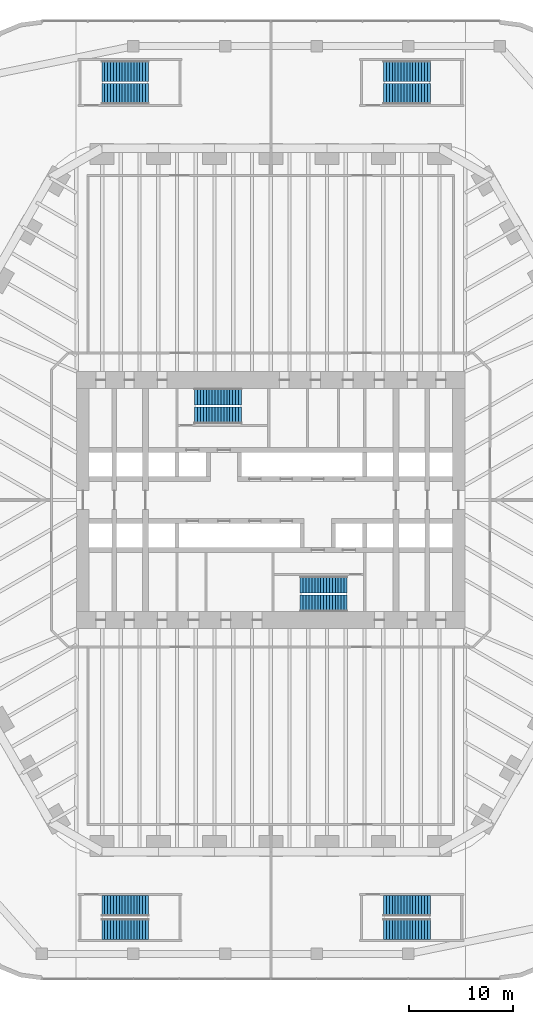
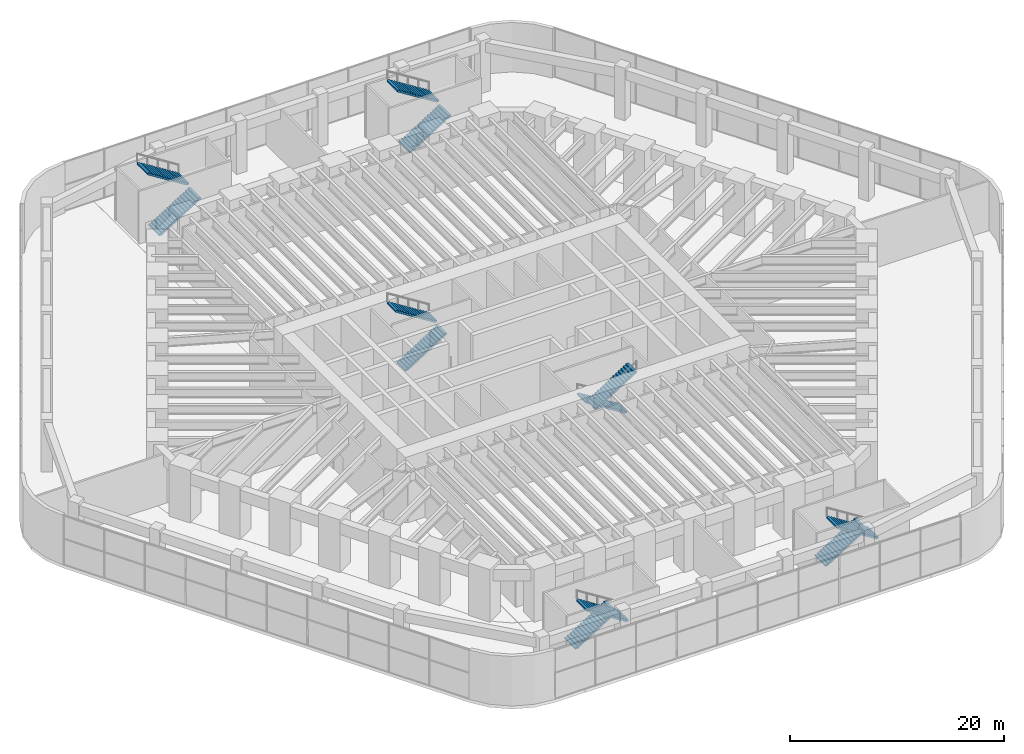
# One storey, part 30 of 31: 12 stair flights, 6 elements without a shape of their own.
"""IFC4 building model written with IfcOpenShell, lengths in metres."""

from ifc_helpers import new_model, si_unit, direction, frame, origin, place, context, subcontext, project, spatial, polyline, outline, extrude, material, type_object, element, aggregate, save


model = new_model("IFC4")

# Units and contexts
model_context = context("Model", 3, precision=1e-05, world=origin(), true_north=direction((0.0, 1.0)))
body_context = subcontext(model_context, "Body", "Model", "MODEL_VIEW")
ifc_project = project(units=[si_unit("LENGTHUNIT", "METRE"), si_unit("AREAUNIT", "SQUARE_METRE"), si_unit("VOLUMEUNIT", "CUBIC_METRE"), si_unit("PLANEANGLEUNIT", "RADIAN"), si_unit("MASSUNIT", "GRAM", prefix="KILO")], contexts=[model_context])

# Site, building, storey
site_placement = place(None, origin())
site = spatial("IfcSite", under=ifc_project, at=site_placement, CompositionType="ELEMENT")
building_placement = place(site_placement, origin())
building = spatial("IfcBuilding", under=site, at=building_placement, Name="Tarfa Lantern Tower", CompositionType="ELEMENT")
storey_placement = place(building_placement, frame((0.0, 0.0, 7.0)))
storey = spatial("IfcBuildingStorey", under=building, at=storey_placement, Name="L01", CompositionType="ELEMENT", Elevation=7.0)

# Stair, stair flights
ifc_material = material(Name="Concrete C40/50", Category="concrete")
stair_type_1 = type_object("IfcStairType", Name="ST-T5 HALF-TURN STAIR 6000 RISE", PredefinedType="HALF_TURN_STAIR", material=ifc_material)
stair_1_placement = place(storey_placement, origin())
stair_1 = element("IfcStair", 1, at=stair_1_placement, inside=storey, type_object=stair_type_1, Name="Stair ST1", PredefinedType="HALF_TURN_STAIR")
stair_flight_type = type_object("IfcStairFlightType", Name="SF1 STAIR FLIGHT", PredefinedType="STRAIGHT", material=ifc_material)
stair_flight_1_placement = place(storey_placement, frame((-7.300048828125, 8.10009765625, 0.0), z_axis=(0.0, 0.0, 1.0), x_axis=(1.0, 0.0, 0.0)))
stair_flight_1 = element("IfcStairFlight", 2, at=stair_flight_1_placement, type_object=stair_flight_type, Name="ST1 flight 1", NumberOfRisers=17, NumberOfTreads=16, PredefinedType="STRAIGHT", RiserHeight=0.176470588, TreadLength=0.28, context=body_context, shape_type="SweptSolid", body=[
    extrude(outline(polyline([(0.0, 0.0), (0.0, 0.176513671875), (0.280029296875, 0.176513671875), (0.280029296875, 0.35302734375), (0.56005859375, 0.35302734375), (0.56005859375, 0.529296875), (0.840087890625, 0.529296875), (0.840087890625, 0.705810546875), (1.1201171875, 0.705810546875), (1.1201171875, 0.88232421875), (1.39990234375, 0.88232421875), (1.39990234375, 1.058837890625), (1.679931640625, 1.058837890625), (1.679931640625, 1.2353515625), (1.9599609375, 1.2353515625), (1.9599609375, 1.411865234375), (2.239990234375, 1.411865234375), (2.239990234375, 1.588134765625), (2.52001953125, 1.588134765625), (2.52001953125, 1.7646484375), (2.800048828125, 1.7646484375), (2.800048828125, 1.941162109375), (3.080078125, 1.941162109375), (3.080078125, 2.11767578125), (3.360107421875, 2.11767578125), (3.360107421875, 2.294189453125), (3.639892578125, 2.294189453125), (3.639892578125, 2.470703125), (3.919921875, 2.470703125), (3.919921875, 2.64697265625), (4.199951171875, 2.64697265625), (4.199951171875, 2.823486328125), (4.47998046875, 2.823486328125), (4.47998046875, 3.0), (4.47998046875, 2.646240234375), (0.28125, 0.0), (0.0, 0.0)])), frame((0.0, 0.800048828125, 0.0), z_axis=(0.0, -1.0, 0.0), x_axis=(1.0, 0.0, 0.0)), (0.0, 0.0, 1.0), 1.60009765625),
])
stair_flight_2_placement = place(storey_placement, frame((-2.820068359375, 9.89990234375, 3.0), z_axis=(0.0, 0.0, 1.0), x_axis=(-1.0, 0.0, 0.0)))
stair_flight_2 = element("IfcStairFlight", 3, at=stair_flight_2_placement, type_object=stair_flight_type, Name="ST1 flight 2", NumberOfRisers=17, NumberOfTreads=16, PredefinedType="STRAIGHT", RiserHeight=0.176470588, TreadLength=0.28, context=body_context, shape_type="SweptSolid", body=[
    extrude(outline(polyline([(0.0, 0.0), (0.0, 0.176513671875), (0.280029296875, 0.176513671875), (0.280029296875, 0.35302734375), (0.56005859375, 0.35302734375), (0.56005859375, 0.529296875), (0.840087890625, 0.529296875), (0.840087890625, 0.705810546875), (1.1201171875, 0.705810546875), (1.1201171875, 0.88232421875), (1.39990234375, 0.88232421875), (1.39990234375, 1.058837890625), (1.679931640625, 1.058837890625), (1.679931640625, 1.2353515625), (1.9599609375, 1.2353515625), (1.9599609375, 1.411865234375), (2.239990234375, 1.411865234375), (2.239990234375, 1.588134765625), (2.52001953125, 1.588134765625), (2.52001953125, 1.7646484375), (2.800048828125, 1.7646484375), (2.800048828125, 1.941162109375), (3.080078125, 1.941162109375), (3.080078125, 2.11767578125), (3.360107421875, 2.11767578125), (3.360107421875, 2.294189453125), (3.639892578125, 2.294189453125), (3.639892578125, 2.470703125), (3.919921875, 2.470703125), (3.919921875, 2.64697265625), (4.199951171875, 2.64697265625), (4.199951171875, 2.823486328125), (4.47998046875, 2.823486328125), (4.47998046875, 3.0), (4.47998046875, 2.646240234375), (0.28125, 0.0), (0.0, 0.0)])), frame((0.0, 0.800048828125, 0.0), z_axis=(0.0, -1.0, 0.0), x_axis=(1.0, 0.0, 0.0)), (0.0, 0.0, 1.0), 1.60009765625),
])
aggregate(stair_1, [stair_flight_1, stair_flight_2])

stair_2_placement = place(storey_placement, origin())
stair_2 = element("IfcStair", 4, at=stair_2_placement, inside=storey, type_object=stair_type_1, Name="Stair ST2", PredefinedType="HALF_TURN_STAIR")
stair_flight_3_placement = place(storey_placement, frame((7.300048828125, -8.10009765625, 0.0), z_axis=(0.0, 0.0, 1.0), x_axis=(-1.0, 0.0, 0.0)))
stair_flight_3 = element("IfcStairFlight", 5, at=stair_flight_3_placement, type_object=stair_flight_type, Name="ST2 flight 1", NumberOfRisers=17, NumberOfTreads=16, PredefinedType="STRAIGHT", RiserHeight=0.176470588, TreadLength=0.28, context=body_context, shape_type="SweptSolid", body=[
    extrude(outline(polyline([(0.0, 0.0), (0.0, 0.176513671875), (0.280029296875, 0.176513671875), (0.280029296875, 0.35302734375), (0.56005859375, 0.35302734375), (0.56005859375, 0.529296875), (0.840087890625, 0.529296875), (0.840087890625, 0.705810546875), (1.1201171875, 0.705810546875), (1.1201171875, 0.88232421875), (1.39990234375, 0.88232421875), (1.39990234375, 1.058837890625), (1.679931640625, 1.058837890625), (1.679931640625, 1.2353515625), (1.9599609375, 1.2353515625), (1.9599609375, 1.411865234375), (2.239990234375, 1.411865234375), (2.239990234375, 1.588134765625), (2.52001953125, 1.588134765625), (2.52001953125, 1.7646484375), (2.800048828125, 1.7646484375), (2.800048828125, 1.941162109375), (3.080078125, 1.941162109375), (3.080078125, 2.11767578125), (3.360107421875, 2.11767578125), (3.360107421875, 2.294189453125), (3.639892578125, 2.294189453125), (3.639892578125, 2.470703125), (3.919921875, 2.470703125), (3.919921875, 2.64697265625), (4.199951171875, 2.64697265625), (4.199951171875, 2.823486328125), (4.47998046875, 2.823486328125), (4.47998046875, 3.0), (4.47998046875, 2.646240234375), (0.28125, 0.0), (0.0, 0.0)])), frame((0.0, 0.800048828125, 0.0), z_axis=(0.0, -1.0, 0.0), x_axis=(1.0, 0.0, 0.0)), (0.0, 0.0, 1.0), 1.60009765625),
])
stair_flight_4_placement = place(storey_placement, frame((2.820068359375, -9.89990234375, 3.0), z_axis=(0.0, 0.0, 1.0), x_axis=(1.0, 0.0, 0.0)))
stair_flight_4 = element("IfcStairFlight", 6, at=stair_flight_4_placement, type_object=stair_flight_type, Name="ST2 flight 2", NumberOfRisers=17, NumberOfTreads=16, PredefinedType="STRAIGHT", RiserHeight=0.176470588, TreadLength=0.28, context=body_context, shape_type="SweptSolid", body=[
    extrude(outline(polyline([(0.0, 0.0), (0.0, 0.176513671875), (0.280029296875, 0.176513671875), (0.280029296875, 0.35302734375), (0.56005859375, 0.35302734375), (0.56005859375, 0.529296875), (0.840087890625, 0.529296875), (0.840087890625, 0.705810546875), (1.1201171875, 0.705810546875), (1.1201171875, 0.88232421875), (1.39990234375, 0.88232421875), (1.39990234375, 1.058837890625), (1.679931640625, 1.058837890625), (1.679931640625, 1.2353515625), (1.9599609375, 1.2353515625), (1.9599609375, 1.411865234375), (2.239990234375, 1.411865234375), (2.239990234375, 1.588134765625), (2.52001953125, 1.588134765625), (2.52001953125, 1.7646484375), (2.800048828125, 1.7646484375), (2.800048828125, 1.941162109375), (3.080078125, 1.941162109375), (3.080078125, 2.11767578125), (3.360107421875, 2.11767578125), (3.360107421875, 2.294189453125), (3.639892578125, 2.294189453125), (3.639892578125, 2.470703125), (3.919921875, 2.470703125), (3.919921875, 2.64697265625), (4.199951171875, 2.64697265625), (4.199951171875, 2.823486328125), (4.47998046875, 2.823486328125), (4.47998046875, 3.0), (4.47998046875, 2.646240234375), (0.28125, 0.0), (0.0, 0.0)])), frame((0.0, 0.800048828125, 0.0), z_axis=(0.0, -1.0, 0.0), x_axis=(1.0, 0.0, 0.0)), (0.0, 0.0, 1.0), 1.60009765625),
])
aggregate(stair_2, [stair_flight_3, stair_flight_4])

stair_type_2 = type_object("IfcStairType", Name="ST-T6 HALF-TURN STAIR 6000 RISE", PredefinedType="HALF_TURN_STAIR", material=ifc_material)
stair_3_placement = place(storey_placement, origin())
stair_3 = element("IfcStair", 7, at=stair_3_placement, inside=storey, type_object=stair_type_2, Name="Stair ST3", PredefinedType="HALF_TURN_STAIR")
stair_flight_5_placement = place(storey_placement, frame((10.800048828125, 38.89990234375, 0.0), z_axis=(0.0, 0.0, 1.0), x_axis=(1.0, 0.0, 0.0)))
stair_flight_5 = element("IfcStairFlight", 8, at=stair_flight_5_placement, type_object=stair_flight_type, Name="ST3 flight 1", NumberOfRisers=17, NumberOfTreads=16, PredefinedType="STRAIGHT", RiserHeight=0.176470588, TreadLength=0.28, context=body_context, shape_type="SweptSolid", body=[
    extrude(outline(polyline([(0.0, 0.0), (0.0, 0.176513671875), (0.280029296875, 0.176513671875), (0.280029296875, 0.35302734375), (0.56005859375, 0.35302734375), (0.56005859375, 0.529296875), (0.840087890625, 0.529296875), (0.840087890625, 0.705810546875), (1.1201171875, 0.705810546875), (1.1201171875, 0.88232421875), (1.39990234375, 0.88232421875), (1.39990234375, 1.058837890625), (1.679931640625, 1.058837890625), (1.679931640625, 1.2353515625), (1.9599609375, 1.2353515625), (1.9599609375, 1.411865234375), (2.239990234375, 1.411865234375), (2.239990234375, 1.588134765625), (2.52001953125, 1.588134765625), (2.52001953125, 1.7646484375), (2.800048828125, 1.7646484375), (2.800048828125, 1.941162109375), (3.080078125, 1.941162109375), (3.080078125, 2.11767578125), (3.360107421875, 2.11767578125), (3.360107421875, 2.294189453125), (3.639892578125, 2.294189453125), (3.639892578125, 2.470703125), (3.919921875, 2.470703125), (3.919921875, 2.64697265625), (4.199951171875, 2.64697265625), (4.199951171875, 2.823486328125), (4.47998046875, 2.823486328125), (4.47998046875, 3.0), (4.47998046875, 2.646240234375), (0.28125, 0.0), (0.0, 0.0)])), frame((0.0, 1.0, 0.0), z_axis=(0.0, -1.0, 0.0), x_axis=(1.0, 0.0, 0.0)), (0.0, 0.0, 1.0), 2.0),
])
stair_flight_6_placement = place(storey_placement, frame((15.280029296875, 41.10009765625, 3.0), z_axis=(0.0, 0.0, 1.0), x_axis=(-1.0, 0.0, 0.0)))
stair_flight_6 = element("IfcStairFlight", 9, at=stair_flight_6_placement, type_object=stair_flight_type, Name="ST3 flight 2", NumberOfRisers=17, NumberOfTreads=16, PredefinedType="STRAIGHT", RiserHeight=0.176470588, TreadLength=0.28, context=body_context, shape_type="SweptSolid", body=[
    extrude(outline(polyline([(0.0, 0.0), (0.0, 0.176513671875), (0.280029296875, 0.176513671875), (0.280029296875, 0.35302734375), (0.56005859375, 0.35302734375), (0.56005859375, 0.529296875), (0.840087890625, 0.529296875), (0.840087890625, 0.705810546875), (1.1201171875, 0.705810546875), (1.1201171875, 0.88232421875), (1.39990234375, 0.88232421875), (1.39990234375, 1.058837890625), (1.679931640625, 1.058837890625), (1.679931640625, 1.2353515625), (1.9599609375, 1.2353515625), (1.9599609375, 1.411865234375), (2.239990234375, 1.411865234375), (2.239990234375, 1.588134765625), (2.52001953125, 1.588134765625), (2.52001953125, 1.7646484375), (2.800048828125, 1.7646484375), (2.800048828125, 1.941162109375), (3.080078125, 1.941162109375), (3.080078125, 2.11767578125), (3.360107421875, 2.11767578125), (3.360107421875, 2.294189453125), (3.639892578125, 2.294189453125), (3.639892578125, 2.470703125), (3.919921875, 2.470703125), (3.919921875, 2.64697265625), (4.199951171875, 2.64697265625), (4.199951171875, 2.823486328125), (4.47998046875, 2.823486328125), (4.47998046875, 3.0), (4.47998046875, 2.646240234375), (0.28125, 0.0), (0.0, 0.0)])), frame((0.0, 1.0, 0.0), z_axis=(0.0, -1.0, 0.0), x_axis=(1.0, 0.0, 0.0)), (0.0, 0.0, 1.0), 2.0),
])
aggregate(stair_3, [stair_flight_5, stair_flight_6])

stair_4_placement = place(storey_placement, origin())
stair_4 = element("IfcStair", 10, at=stair_4_placement, inside=storey, type_object=stair_type_2, Name="Stair ST4", PredefinedType="HALF_TURN_STAIR")
stair_flight_7_placement = place(storey_placement, frame((-16.199951171875, 38.89990234375, 0.0), z_axis=(0.0, 0.0, 1.0), x_axis=(1.0, 0.0, 0.0)))
stair_flight_7 = element("IfcStairFlight", 11, at=stair_flight_7_placement, type_object=stair_flight_type, Name="ST4 flight 1", NumberOfRisers=17, NumberOfTreads=16, PredefinedType="STRAIGHT", RiserHeight=0.176470588, TreadLength=0.28, context=body_context, shape_type="SweptSolid", body=[
    extrude(outline(polyline([(0.0, 0.0), (0.0, 0.176513671875), (0.280029296875, 0.176513671875), (0.280029296875, 0.35302734375), (0.56005859375, 0.35302734375), (0.56005859375, 0.529296875), (0.840087890625, 0.529296875), (0.840087890625, 0.705810546875), (1.1201171875, 0.705810546875), (1.1201171875, 0.88232421875), (1.39990234375, 0.88232421875), (1.39990234375, 1.058837890625), (1.679931640625, 1.058837890625), (1.679931640625, 1.2353515625), (1.9599609375, 1.2353515625), (1.9599609375, 1.411865234375), (2.239990234375, 1.411865234375), (2.239990234375, 1.588134765625), (2.52001953125, 1.588134765625), (2.52001953125, 1.7646484375), (2.800048828125, 1.7646484375), (2.800048828125, 1.941162109375), (3.080078125, 1.941162109375), (3.080078125, 2.11767578125), (3.360107421875, 2.11767578125), (3.360107421875, 2.294189453125), (3.639892578125, 2.294189453125), (3.639892578125, 2.470703125), (3.919921875, 2.470703125), (3.919921875, 2.64697265625), (4.199951171875, 2.64697265625), (4.199951171875, 2.823486328125), (4.47998046875, 2.823486328125), (4.47998046875, 3.0), (4.47998046875, 2.646240234375), (0.28125, 0.0), (0.0, 0.0)])), frame((0.0, 1.0, 0.0), z_axis=(0.0, -1.0, 0.0), x_axis=(1.0, 0.0, 0.0)), (0.0, 0.0, 1.0), 2.0),
])
stair_flight_8_placement = place(storey_placement, frame((-11.719970703125, 41.10009765625, 3.0), z_axis=(0.0, 0.0, 1.0), x_axis=(-1.0, 0.0, 0.0)))
stair_flight_8 = element("IfcStairFlight", 12, at=stair_flight_8_placement, type_object=stair_flight_type, Name="ST4 flight 2", NumberOfRisers=17, NumberOfTreads=16, PredefinedType="STRAIGHT", RiserHeight=0.176470588, TreadLength=0.28, context=body_context, shape_type="SweptSolid", body=[
    extrude(outline(polyline([(0.0, 0.0), (0.0, 0.176513671875), (0.280029296875, 0.176513671875), (0.280029296875, 0.35302734375), (0.56005859375, 0.35302734375), (0.56005859375, 0.529296875), (0.840087890625, 0.529296875), (0.840087890625, 0.705810546875), (1.1201171875, 0.705810546875), (1.1201171875, 0.88232421875), (1.39990234375, 0.88232421875), (1.39990234375, 1.058837890625), (1.679931640625, 1.058837890625), (1.679931640625, 1.2353515625), (1.9599609375, 1.2353515625), (1.9599609375, 1.411865234375), (2.239990234375, 1.411865234375), (2.239990234375, 1.588134765625), (2.52001953125, 1.588134765625), (2.52001953125, 1.7646484375), (2.800048828125, 1.7646484375), (2.800048828125, 1.941162109375), (3.080078125, 1.941162109375), (3.080078125, 2.11767578125), (3.360107421875, 2.11767578125), (3.360107421875, 2.294189453125), (3.639892578125, 2.294189453125), (3.639892578125, 2.470703125), (3.919921875, 2.470703125), (3.919921875, 2.64697265625), (4.199951171875, 2.64697265625), (4.199951171875, 2.823486328125), (4.47998046875, 2.823486328125), (4.47998046875, 3.0), (4.47998046875, 2.646240234375), (0.28125, 0.0), (0.0, 0.0)])), frame((0.0, 1.0, 0.0), z_axis=(0.0, -1.0, 0.0), x_axis=(1.0, 0.0, 0.0)), (0.0, 0.0, 1.0), 2.0),
])
aggregate(stair_4, [stair_flight_7, stair_flight_8])

stair_5_placement = place(storey_placement, origin())
stair_5 = element("IfcStair", 13, at=stair_5_placement, inside=storey, type_object=stair_type_2, Name="Stair ST5", PredefinedType="HALF_TURN_STAIR")
stair_flight_9_placement = place(storey_placement, frame((-16.199951171875, -38.89990234375, 0.0), z_axis=(0.0, 0.0, 1.0), x_axis=(1.0, 0.0, 0.0)))
stair_flight_9 = element("IfcStairFlight", 14, at=stair_flight_9_placement, type_object=stair_flight_type, Name="ST5 flight 1", NumberOfRisers=17, NumberOfTreads=16, PredefinedType="STRAIGHT", RiserHeight=0.176470588, TreadLength=0.28, context=body_context, shape_type="SweptSolid", body=[
    extrude(outline(polyline([(0.0, 0.0), (0.0, 0.176513671875), (0.280029296875, 0.176513671875), (0.280029296875, 0.35302734375), (0.56005859375, 0.35302734375), (0.56005859375, 0.529296875), (0.840087890625, 0.529296875), (0.840087890625, 0.705810546875), (1.1201171875, 0.705810546875), (1.1201171875, 0.88232421875), (1.39990234375, 0.88232421875), (1.39990234375, 1.058837890625), (1.679931640625, 1.058837890625), (1.679931640625, 1.2353515625), (1.9599609375, 1.2353515625), (1.9599609375, 1.411865234375), (2.239990234375, 1.411865234375), (2.239990234375, 1.588134765625), (2.52001953125, 1.588134765625), (2.52001953125, 1.7646484375), (2.800048828125, 1.7646484375), (2.800048828125, 1.941162109375), (3.080078125, 1.941162109375), (3.080078125, 2.11767578125), (3.360107421875, 2.11767578125), (3.360107421875, 2.294189453125), (3.639892578125, 2.294189453125), (3.639892578125, 2.470703125), (3.919921875, 2.470703125), (3.919921875, 2.64697265625), (4.199951171875, 2.64697265625), (4.199951171875, 2.823486328125), (4.47998046875, 2.823486328125), (4.47998046875, 3.0), (4.47998046875, 2.646240234375), (0.28125, 0.0), (0.0, 0.0)])), frame((0.0, 1.0, 0.0), z_axis=(0.0, -1.0, 0.0), x_axis=(1.0, 0.0, 0.0)), (0.0, 0.0, 1.0), 2.0),
])
stair_flight_10_placement = place(storey_placement, frame((-11.719970703125, -41.10009765625, 3.0), z_axis=(0.0, 0.0, 1.0), x_axis=(-1.0, 0.0, 0.0)))
stair_flight_10 = element("IfcStairFlight", 15, at=stair_flight_10_placement, type_object=stair_flight_type, Name="ST5 flight 2", NumberOfRisers=17, NumberOfTreads=16, PredefinedType="STRAIGHT", RiserHeight=0.176470588, TreadLength=0.28, context=body_context, shape_type="SweptSolid", body=[
    extrude(outline(polyline([(0.0, 0.0), (0.0, 0.176513671875), (0.280029296875, 0.176513671875), (0.280029296875, 0.35302734375), (0.56005859375, 0.35302734375), (0.56005859375, 0.529296875), (0.840087890625, 0.529296875), (0.840087890625, 0.705810546875), (1.1201171875, 0.705810546875), (1.1201171875, 0.88232421875), (1.39990234375, 0.88232421875), (1.39990234375, 1.058837890625), (1.679931640625, 1.058837890625), (1.679931640625, 1.2353515625), (1.9599609375, 1.2353515625), (1.9599609375, 1.411865234375), (2.239990234375, 1.411865234375), (2.239990234375, 1.588134765625), (2.52001953125, 1.588134765625), (2.52001953125, 1.7646484375), (2.800048828125, 1.7646484375), (2.800048828125, 1.941162109375), (3.080078125, 1.941162109375), (3.080078125, 2.11767578125), (3.360107421875, 2.11767578125), (3.360107421875, 2.294189453125), (3.639892578125, 2.294189453125), (3.639892578125, 2.470703125), (3.919921875, 2.470703125), (3.919921875, 2.64697265625), (4.199951171875, 2.64697265625), (4.199951171875, 2.823486328125), (4.47998046875, 2.823486328125), (4.47998046875, 3.0), (4.47998046875, 2.646240234375), (0.28125, 0.0), (0.0, 0.0)])), frame((0.0, 1.0, 0.0), z_axis=(0.0, -1.0, 0.0), x_axis=(1.0, 0.0, 0.0)), (0.0, 0.0, 1.0), 2.0),
])
aggregate(stair_5, [stair_flight_9, stair_flight_10])

stair_6_placement = place(storey_placement, origin())
stair_6 = element("IfcStair", 16, at=stair_6_placement, inside=storey, type_object=stair_type_2, Name="Stair ST6", PredefinedType="HALF_TURN_STAIR")
stair_flight_11_placement = place(storey_placement, frame((10.800048828125, -38.89990234375, 0.0), z_axis=(0.0, 0.0, 1.0), x_axis=(1.0, 0.0, 0.0)))
stair_flight_11 = element("IfcStairFlight", 17, at=stair_flight_11_placement, type_object=stair_flight_type, Name="ST6 flight 1", NumberOfRisers=17, NumberOfTreads=16, PredefinedType="STRAIGHT", RiserHeight=0.176470588, TreadLength=0.28, context=body_context, shape_type="SweptSolid", body=[
    extrude(outline(polyline([(0.0, 0.0), (0.0, 0.176513671875), (0.280029296875, 0.176513671875), (0.280029296875, 0.35302734375), (0.56005859375, 0.35302734375), (0.56005859375, 0.529296875), (0.840087890625, 0.529296875), (0.840087890625, 0.705810546875), (1.1201171875, 0.705810546875), (1.1201171875, 0.88232421875), (1.39990234375, 0.88232421875), (1.39990234375, 1.058837890625), (1.679931640625, 1.058837890625), (1.679931640625, 1.2353515625), (1.9599609375, 1.2353515625), (1.9599609375, 1.411865234375), (2.239990234375, 1.411865234375), (2.239990234375, 1.588134765625), (2.52001953125, 1.588134765625), (2.52001953125, 1.7646484375), (2.800048828125, 1.7646484375), (2.800048828125, 1.941162109375), (3.080078125, 1.941162109375), (3.080078125, 2.11767578125), (3.360107421875, 2.11767578125), (3.360107421875, 2.294189453125), (3.639892578125, 2.294189453125), (3.639892578125, 2.470703125), (3.919921875, 2.470703125), (3.919921875, 2.64697265625), (4.199951171875, 2.64697265625), (4.199951171875, 2.823486328125), (4.47998046875, 2.823486328125), (4.47998046875, 3.0), (4.47998046875, 2.646240234375), (0.28125, 0.0), (0.0, 0.0)])), frame((0.0, 1.0, 0.0), z_axis=(0.0, -1.0, 0.0), x_axis=(1.0, 0.0, 0.0)), (0.0, 0.0, 1.0), 2.0),
])
stair_flight_12_placement = place(storey_placement, frame((15.280029296875, -41.10009765625, 3.0), z_axis=(0.0, 0.0, 1.0), x_axis=(-1.0, 0.0, 0.0)))
stair_flight_12 = element("IfcStairFlight", 18, at=stair_flight_12_placement, type_object=stair_flight_type, Name="ST6 flight 2", NumberOfRisers=17, NumberOfTreads=16, PredefinedType="STRAIGHT", RiserHeight=0.176470588, TreadLength=0.28, context=body_context, shape_type="SweptSolid", body=[
    extrude(outline(polyline([(0.0, 0.0), (0.0, 0.176513671875), (0.280029296875, 0.176513671875), (0.280029296875, 0.35302734375), (0.56005859375, 0.35302734375), (0.56005859375, 0.529296875), (0.840087890625, 0.529296875), (0.840087890625, 0.705810546875), (1.1201171875, 0.705810546875), (1.1201171875, 0.88232421875), (1.39990234375, 0.88232421875), (1.39990234375, 1.058837890625), (1.679931640625, 1.058837890625), (1.679931640625, 1.2353515625), (1.9599609375, 1.2353515625), (1.9599609375, 1.411865234375), (2.239990234375, 1.411865234375), (2.239990234375, 1.588134765625), (2.52001953125, 1.588134765625), (2.52001953125, 1.7646484375), (2.800048828125, 1.7646484375), (2.800048828125, 1.941162109375), (3.080078125, 1.941162109375), (3.080078125, 2.11767578125), (3.360107421875, 2.11767578125), (3.360107421875, 2.294189453125), (3.639892578125, 2.294189453125), (3.639892578125, 2.470703125), (3.919921875, 2.470703125), (3.919921875, 2.64697265625), (4.199951171875, 2.64697265625), (4.199951171875, 2.823486328125), (4.47998046875, 2.823486328125), (4.47998046875, 3.0), (4.47998046875, 2.646240234375), (0.28125, 0.0), (0.0, 0.0)])), frame((0.0, 1.0, 0.0), z_axis=(0.0, -1.0, 0.0), x_axis=(1.0, 0.0, 0.0)), (0.0, 0.0, 1.0), 2.0),
])
aggregate(stair_6, [stair_flight_11, stair_flight_12])

save(model, "model.ifc")
